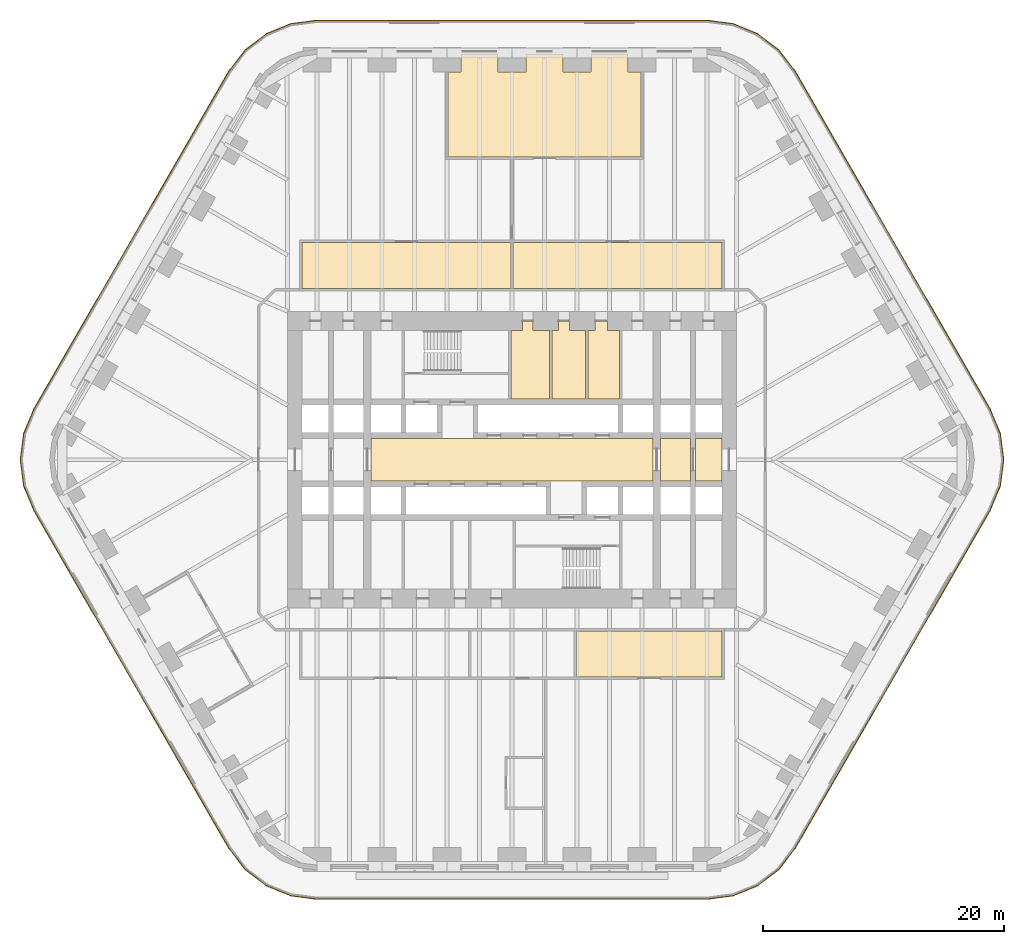
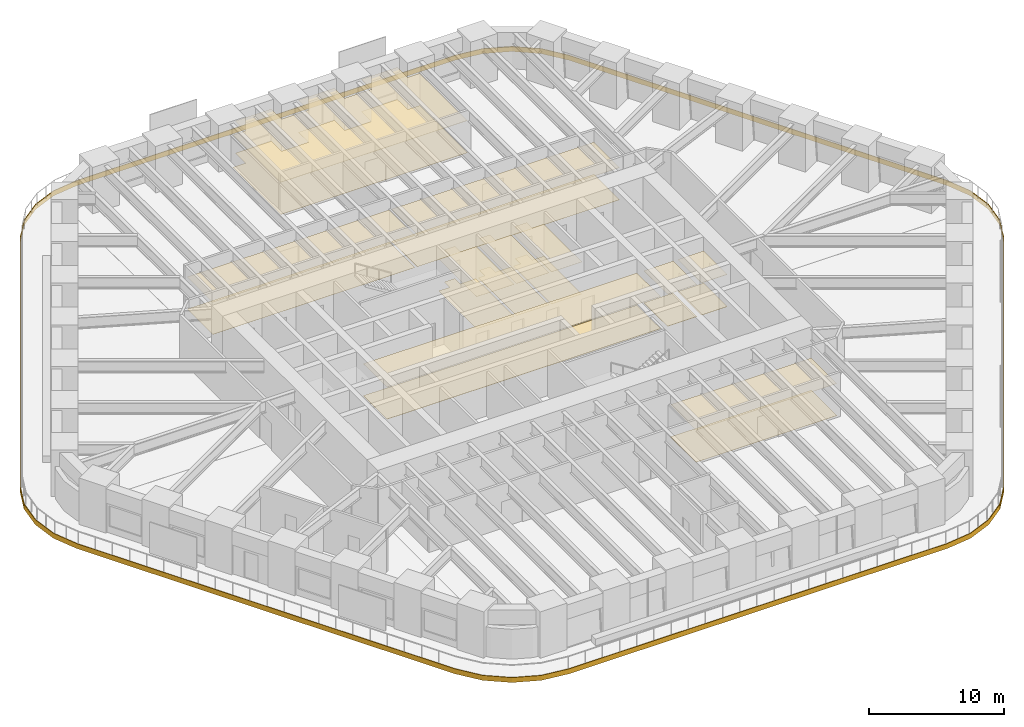
# One storey, part 22 of 23: 15 coverings.
"""IFC4 building model written with IfcOpenShell, lengths in metres."""

from ifc_helpers import new_model, si_unit, direction, frame, origin, place, context, subcontext, project, spatial, polyline, outline, extrude, material, layer, layer_set, type_object, element, save


model = new_model("IFC4")

# Units and contexts
model_context = context("Model", 3, precision=1e-05, world=origin(), true_north=direction((0.0, 1.0)))
body_context = subcontext(model_context, "Body", "Model", "MODEL_VIEW")
ifc_project = project(units=[si_unit("LENGTHUNIT", "METRE"), si_unit("AREAUNIT", "SQUARE_METRE"), si_unit("VOLUMEUNIT", "CUBIC_METRE"), si_unit("PLANEANGLEUNIT", "RADIAN"), si_unit("MASSUNIT", "GRAM", prefix="KILO")], contexts=[model_context])

# Site, building, storey
site_placement = place(None, origin())
site = spatial("IfcSite", under=ifc_project, at=site_placement, CompositionType="ELEMENT")
building_placement = place(site_placement, origin())
building = spatial("IfcBuilding", under=site, at=building_placement, Name="Tarfa Lantern Tower", CompositionType="ELEMENT")
storey_placement = place(building_placement, frame((0.0, 0.0, 31.89990234375)))
storey = spatial("IfcBuildingStorey", under=building, at=storey_placement, Name="L06", CompositionType="ELEMENT", Elevation=31.89990234375)

# Coverings
ifc_material_1 = material(Name="Mineral fibre acoustic tile on suspension grid", Category="finish")
ifc_layer_1 = layer(ifc_material_1, 0.02001953125)
ifc_layer_set_1 = layer_set([ifc_layer_1], Name="CL1 ACOUSTIC TILE CEILING 20")
covering_type_1 = type_object("IfcCoveringType", Name="CL1 ACOUSTIC TILE CEILING 20", PredefinedType="CEILING", material=ifc_layer_set_1)
covering_1_placement = place(storey_placement, frame((0.0, 0.0, 2.900146484375)))
element("IfcCovering", 1, at=covering_1_placement, inside=storey, type_object=covering_type_1, Name="Ceiling L06 CL1", PredefinedType="CEILING", context=body_context, shape_type="SweptSolid", body=[
    extrude(outline(polyline([(0.10009765625, 18.0), (17.39990234375, 18.0), (17.39990234375, 14.199951171875), (0.10009765625, 14.199951171875), (0.10009765625, 18.0)])), origin(), (0.0, 0.0, 1.0), 0.02001953125),
    extrude(outline(polyline([(5.35009765625, -14.199951171875), (17.39990234375, -14.199951171875), (17.39990234375, -18.0), (5.35009765625, -18.0), (5.35009765625, -14.199951171875)])), origin(), (0.0, 0.0, 1.0), 0.02001953125),
    extrude(outline(polyline([(10.67724609375, 25.10009765625), (-5.28857421875, 25.10009765625), (-5.28857421875, 32.14990234375), (-4.238525390625, 32.14990234375), (-4.238525390625, 33.64990234375), (-1.14990234375, 33.64990234375), (-1.14990234375, 32.14990234375), (1.14990234375, 32.14990234375), (1.14990234375, 33.64990234375), (4.238525390625, 33.64990234375), (4.238525390625, 32.14990234375), (6.53857421875, 32.14990234375), (6.53857421875, 33.64990234375), (9.627197265625, 33.64990234375), (9.627197265625, 32.14990234375), (10.67724609375, 32.14990234375), (10.67724609375, 25.10009765625)])), origin(), (0.0, 0.0, 1.0), 0.02001953125),
    extrude(outline(polyline([(-17.39990234375, 18.0), (-0.10009765625, 18.0), (-0.10009765625, 14.199951171875), (-17.39990234375, 14.199951171875), (-17.39990234375, 18.0)])), origin(), (0.0, 0.0, 1.0), 0.02001953125),
])
ifc_material_2 = material(Name="Moisture-resistant plasterboard", Category="finish")
ifc_layer_2 = layer(ifc_material_2, 0.014892578125)
ifc_layer_set_2 = layer_set([ifc_layer_2], Name="CL2 MOISTURE-RESISTANT PLASTERBOARD CEILING 15")
covering_type_2 = type_object("IfcCoveringType", Name="CL2 MOISTURE-RESISTANT PLASTERBOARD CEILING 15", PredefinedType="CEILING", material=ifc_layer_set_2)
covering_2_placement = place(storey_placement, frame((0.0, 0.0, 2.900146484375)))
element("IfcCovering", 2, at=covering_2_placement, inside=storey, type_object=covering_type_2, Name="Ceiling L06-09", PredefinedType="CEILING", context=body_context, shape_type="SweptSolid", body=[
    extrude(outline(polyline([(0.85009765625, 10.699951171875), (-0.10009765625, 10.699951171875), (-0.10009765625, 5.050048828125), (3.10009765625, 5.050048828125), (3.10009765625, 10.699951171875), (1.75, 10.699951171875), (1.75, 11.5), (0.85009765625, 11.5), (0.85009765625, 10.699951171875)])), origin(), (0.0, 0.0, 1.0), 0.014892578125),
])
covering_3_placement = place(storey_placement, frame((0.0, 0.0, 2.900146484375)))
element("IfcCovering", 3, at=covering_3_placement, inside=storey, type_object=covering_type_2, Name="Ceiling L06-10", PredefinedType="CEILING", context=body_context, shape_type="SweptSolid", body=[
    extrude(outline(polyline([(3.300048828125, 5.050048828125), (6.10009765625, 5.050048828125), (6.10009765625, 10.699951171875), (4.75, 10.699951171875), (4.75, 11.5), (3.85009765625, 11.5), (3.85009765625, 10.699951171875), (3.300048828125, 10.699951171875), (3.300048828125, 5.050048828125)])), origin(), (0.0, 0.0, 1.0), 0.014892578125),
])
covering_4_placement = place(storey_placement, frame((0.0, 0.0, 2.900146484375)))
element("IfcCovering", 4, at=covering_4_placement, inside=storey, type_object=covering_type_2, Name="Ceiling L06-11", PredefinedType="CEILING", context=body_context, shape_type="SweptSolid", body=[
    extrude(outline(polyline([(6.300048828125, 5.050048828125), (8.89990234375, 5.050048828125), (8.89990234375, 10.699951171875), (7.89990234375, 10.699951171875), (7.89990234375, 11.5), (6.89990234375, 11.5), (6.89990234375, 10.699951171875), (6.300048828125, 10.699951171875), (6.300048828125, 5.050048828125)])), origin(), (0.0, 0.0, 1.0), 0.014892578125),
])
ifc_material_3 = material(Name="Powder-coated aluminium panel", Category="aluminium")
ifc_layer_3 = layer(ifc_material_3, 0.030029296875)
ifc_layer_set_3 = layer_set([ifc_layer_3], Name="CL3 METAL PANEL CEILING 30")
covering_type_3 = type_object("IfcCoveringType", Name="CL3 METAL PANEL CEILING 30", PredefinedType="CEILING", material=ifc_layer_set_3)
covering_5_placement = place(storey_placement, frame((0.0, 0.0, 2.900146484375)))
element("IfcCovering", 5, at=covering_5_placement, inside=storey, type_object=covering_type_3, Name="Ceiling L06-03", PredefinedType="CEILING", context=body_context, shape_type="SweptSolid", body=[
    extrude(outline(polyline([(-11.699951171875, -1.75), (11.699951171875, -1.75), (11.699951171875, 1.75), (-11.699951171875, 1.75), (-11.699951171875, -1.75)])), origin(), (0.0, 0.0, 1.0), 0.030029296875),
])
covering_6_placement = place(storey_placement, frame((0.0, 0.0, 2.900146484375)))
element("IfcCovering", 6, at=covering_6_placement, inside=storey, type_object=covering_type_3, Name="Ceiling L06-04", PredefinedType="CEILING", context=body_context, shape_type="SweptSolid", body=[
    extrude(outline(polyline([(12.300048828125, -1.75), (14.800048828125, -1.75), (14.800048828125, 1.75), (12.300048828125, 1.75), (12.300048828125, -1.75)])), origin(), (0.0, 0.0, 1.0), 0.030029296875),
])
covering_7_placement = place(storey_placement, frame((0.0, 0.0, 2.900146484375)))
element("IfcCovering", 7, at=covering_7_placement, inside=storey, type_object=covering_type_3, Name="Ceiling L06-05", PredefinedType="CEILING", context=body_context, shape_type="SweptSolid", body=[
    extrude(outline(polyline([(15.199951171875, -1.75), (17.39990234375, -1.75), (17.39990234375, 1.75), (15.199951171875, 1.75), (15.199951171875, -1.75)])), origin(), (0.0, 0.0, 1.0), 0.030029296875),
])
ifc_material_4 = material(Name="Nylon carpet tile", Category="finish")
ifc_layer_4 = layer(ifc_material_4, 0.010009765625)
ifc_layer_set_4 = layer_set([ifc_layer_4], Name="FL1 CARPET TILE 10")
covering_type_4 = type_object("IfcCoveringType", Name="FL1 CARPET TILE 10", PredefinedType="FLOORING", material=ifc_layer_set_4)
covering_8_placement = place(storey_placement, origin())
element("IfcCovering", 8, at=covering_8_placement, inside=storey, type_object=covering_type_4, Name="Floor finish L06 FL1", PredefinedType="FLOORING", context=body_context, shape_type="SweptSolid", body=[
    extrude(outline(polyline([(0.10009765625, 18.0), (17.39990234375, 18.0), (17.39990234375, 14.199951171875), (0.10009765625, 14.199951171875), (0.10009765625, 18.0)])), origin(), (0.0, 0.0, 1.0), 0.010009765625),
    extrude(outline(polyline([(5.35009765625, -14.199951171875), (17.39990234375, -14.199951171875), (17.39990234375, -18.0), (5.35009765625, -18.0), (5.35009765625, -14.199951171875)])), origin(), (0.0, 0.0, 1.0), 0.010009765625),
    extrude(outline(polyline([(10.67724609375, 25.10009765625), (-5.28857421875, 25.10009765625), (-5.28857421875, 32.14990234375), (-4.238525390625, 32.14990234375), (-4.238525390625, 33.64990234375), (-1.14990234375, 33.64990234375), (-1.14990234375, 32.14990234375), (1.14990234375, 32.14990234375), (1.14990234375, 33.64990234375), (4.238525390625, 33.64990234375), (4.238525390625, 32.14990234375), (6.53857421875, 32.14990234375), (6.53857421875, 33.64990234375), (9.627197265625, 33.64990234375), (9.627197265625, 32.14990234375), (10.67724609375, 32.14990234375), (10.67724609375, 25.10009765625)])), origin(), (0.0, 0.0, 1.0), 0.010009765625),
    extrude(outline(polyline([(-17.39990234375, 18.0), (-0.10009765625, 18.0), (-0.10009765625, 14.199951171875), (-17.39990234375, 14.199951171875), (-17.39990234375, 18.0)])), origin(), (0.0, 0.0, 1.0), 0.010009765625),
])
ifc_material_5 = material(Name="Honed limestone flooring", Category="masonry")
ifc_layer_5 = layer(ifc_material_5, 0.030029296875)
ifc_layer_set_5 = layer_set([ifc_layer_5], Name="FL2 STONE FLOORING 30")
covering_type_5 = type_object("IfcCoveringType", Name="FL2 STONE FLOORING 30", PredefinedType="FLOORING", material=ifc_layer_set_5)
covering_9_placement = place(storey_placement, origin())
element("IfcCovering", 9, at=covering_9_placement, inside=storey, type_object=covering_type_5, Name="Floor finish L06-03", PredefinedType="FLOORING", context=body_context, shape_type="SweptSolid", body=[
    extrude(outline(polyline([(-11.699951171875, -1.75), (11.699951171875, -1.75), (11.699951171875, 1.75), (-11.699951171875, 1.75), (-11.699951171875, -1.75)])), origin(), (0.0, 0.0, 1.0), 0.030029296875),
])
covering_10_placement = place(storey_placement, origin())
element("IfcCovering", 10, at=covering_10_placement, inside=storey, type_object=covering_type_5, Name="Floor finish L06-04", PredefinedType="FLOORING", context=body_context, shape_type="SweptSolid", body=[
    extrude(outline(polyline([(12.300048828125, -1.75), (14.800048828125, -1.75), (14.800048828125, 1.75), (12.300048828125, 1.75), (12.300048828125, -1.75)])), origin(), (0.0, 0.0, 1.0), 0.030029296875),
])
covering_11_placement = place(storey_placement, origin())
element("IfcCovering", 11, at=covering_11_placement, inside=storey, type_object=covering_type_5, Name="Floor finish L06-05", PredefinedType="FLOORING", context=body_context, shape_type="SweptSolid", body=[
    extrude(outline(polyline([(15.199951171875, -1.75), (17.39990234375, -1.75), (17.39990234375, 1.75), (15.199951171875, 1.75), (15.199951171875, -1.75)])), origin(), (0.0, 0.0, 1.0), 0.030029296875),
])
ifc_material_6 = material(Name="Porcelain floor tile", Category="finish")
ifc_layer_6 = layer(ifc_material_6, 0.011962890625)
ifc_layer_set_6 = layer_set([ifc_layer_6], Name="FL3 CERAMIC TILE 12")
covering_type_6 = type_object("IfcCoveringType", Name="FL3 CERAMIC TILE 12", PredefinedType="FLOORING", material=ifc_layer_set_6)
covering_12_placement = place(storey_placement, origin())
element("IfcCovering", 12, at=covering_12_placement, inside=storey, type_object=covering_type_6, Name="Floor finish L06-09", PredefinedType="FLOORING", context=body_context, shape_type="SweptSolid", body=[
    extrude(outline(polyline([(0.85009765625, 10.699951171875), (-0.10009765625, 10.699951171875), (-0.10009765625, 5.050048828125), (3.10009765625, 5.050048828125), (3.10009765625, 10.699951171875), (1.75, 10.699951171875), (1.75, 11.5), (0.85009765625, 11.5), (0.85009765625, 10.699951171875)])), origin(), (0.0, 0.0, 1.0), 0.01220703125),
])
covering_13_placement = place(storey_placement, origin())
element("IfcCovering", 13, at=covering_13_placement, inside=storey, type_object=covering_type_6, Name="Floor finish L06-10", PredefinedType="FLOORING", context=body_context, shape_type="SweptSolid", body=[
    extrude(outline(polyline([(3.300048828125, 5.050048828125), (6.10009765625, 5.050048828125), (6.10009765625, 10.699951171875), (4.75, 10.699951171875), (4.75, 11.5), (3.85009765625, 11.5), (3.85009765625, 10.699951171875), (3.300048828125, 10.699951171875), (3.300048828125, 5.050048828125)])), origin(), (0.0, 0.0, 1.0), 0.01220703125),
])
covering_14_placement = place(storey_placement, origin())
element("IfcCovering", 14, at=covering_14_placement, inside=storey, type_object=covering_type_6, Name="Floor finish L06-11", PredefinedType="FLOORING", context=body_context, shape_type="SweptSolid", body=[
    extrude(outline(polyline([(6.300048828125, 5.050048828125), (8.89990234375, 5.050048828125), (8.89990234375, 10.699951171875), (7.89990234375, 10.699951171875), (7.89990234375, 11.5), (6.89990234375, 11.5), (6.89990234375, 10.699951171875), (6.300048828125, 10.699951171875), (6.300048828125, 5.050048828125)])), origin(), (0.0, 0.0, 1.0), 0.01220703125),
])
ifc_material_7 = material(Name="Limestone cladding on brackets", Category="masonry")
ifc_layer_7 = layer(ifc_material_7, 0.050048828125)
ifc_layer_set_7 = layer_set([ifc_layer_7], Name="SB1 STONE BAND CLADDING 50")
covering_type_7 = type_object("IfcCoveringType", Name="SB1 STONE BAND CLADDING 50", PredefinedType="CLADDING", material=ifc_layer_set_7)
covering_15_placement = place(storey_placement, frame((0.0, 0.0, -0.39990234375)))
element("IfcCovering", 15, at=covering_15_placement, inside=storey, type_object=covering_type_7, Name="Stone band", PredefinedType="CLADDING", context=body_context, shape_type="SweptSolid", body=[
    extrude(outline(polyline([(39.6494140625, 4.22509765625), (23.483642578125, 32.22509765625), (22.140869140625, 33.97509765625), (20.390869140625, 35.31787109375), (18.352783203125, 36.162109375), (16.165771484375, 36.449951171875), (-16.165771484375, 36.449951171875), (-18.352783203125, 36.162109375), (-20.390869140625, 35.31787109375), (-22.140869140625, 33.97509765625), (-23.483642578125, 32.22509765625), (-39.6494140625, 4.22509765625), (-40.49365234375, 2.18701171875), (-40.781494140625, 0.0), (-40.49365234375, -2.18701171875), (-39.6494140625, -4.22509765625), (-23.483642578125, -32.22509765625), (-22.140869140625, -33.97509765625), (-20.390869140625, -35.31787109375), (-18.352783203125, -36.162109375), (-16.165771484375, -36.449951171875), (16.165771484375, -36.449951171875), (18.352783203125, -36.162109375), (20.390869140625, -35.31787109375), (22.140869140625, -33.97509765625), (23.483642578125, -32.22509765625), (39.6494140625, -4.22509765625), (40.49365234375, -2.18701171875), (40.781494140625, 0.0), (40.49365234375, 2.18701171875), (39.6494140625, 4.22509765625)]), holes=[polyline([(39.606201171875, 4.199951171875), (23.4404296875, 32.199951171875), (22.10546875, 33.939697265625), (20.36572265625, 35.274658203125), (18.33984375, 36.11376953125), (16.165771484375, 36.39990234375), (-16.165771484375, 36.39990234375), (-18.33984375, 36.11376953125), (-20.36572265625, 35.274658203125), (-22.10546875, 33.939697265625), (-23.4404296875, 32.199951171875), (-39.606201171875, 4.199951171875), (-40.4453125, 2.174072265625), (-40.731689453125, 0.0), (-40.4453125, -2.174072265625), (-39.606201171875, -4.199951171875), (-23.4404296875, -32.199951171875), (-22.10546875, -33.939697265625), (-20.36572265625, -35.274658203125), (-18.33984375, -36.11376953125), (-16.165771484375, -36.39990234375), (16.165771484375, -36.39990234375), (18.33984375, -36.11376953125), (20.36572265625, -35.274658203125), (22.10546875, -33.939697265625), (23.4404296875, -32.199951171875), (39.606201171875, -4.199951171875), (40.4453125, -2.174072265625), (40.731689453125, 0.0), (40.4453125, 2.174072265625), (39.606201171875, 4.199951171875)])]), origin(), (0.0, 0.0, 1.0), 0.449951171875),
])

save(model, "model.ifc")
